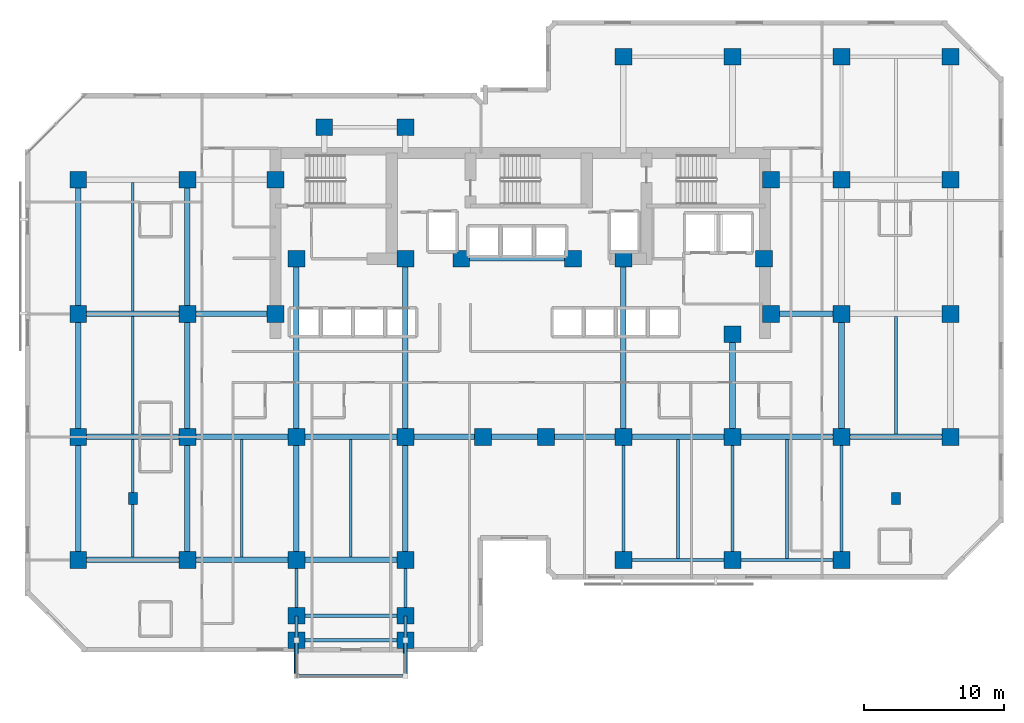
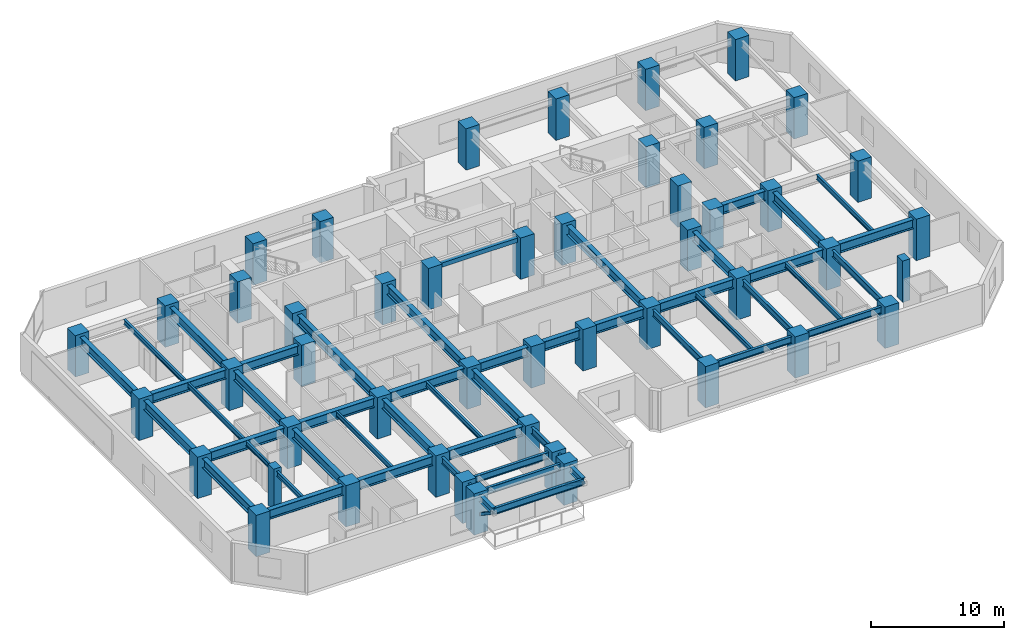
# One storey, part 1 of 12: 51 beams, 48 columns, 2 members.
"""IFC4 building model written with IfcOpenShell, lengths in metres."""

from ifc_helpers import new_model, si_unit, direction, frame, origin, origin_2d, place, context, subcontext, project, spatial, rectangle, hollow_rectangle, i_section, extrude, material, material_profile, profile_set, type_object, element, save


model = new_model("IFC4")

# Units and contexts
model_context = context("Model", 3, precision=1e-05, world=origin(), true_north=direction((0.0, 1.0)))
body_context = subcontext(model_context, "Body", "Model", "MODEL_VIEW")
ifc_project = project(units=[si_unit("LENGTHUNIT", "METRE"), si_unit("AREAUNIT", "SQUARE_METRE"), si_unit("VOLUMEUNIT", "CUBIC_METRE"), si_unit("PLANEANGLEUNIT", "RADIAN"), si_unit("MASSUNIT", "GRAM", prefix="KILO")], contexts=[model_context])

# Site, building, storey
site_placement = place(None, origin())
site = spatial("IfcSite", under=ifc_project, at=site_placement, CompositionType="ELEMENT")
building_placement = place(site_placement, origin())
building = spatial("IfcBuilding", under=site, at=building_placement, Name="Kestravale Grand Hotel", CompositionType="ELEMENT")
storey_placement = place(building_placement, frame((0.0, 0.0, 95.60009765625)))
storey = spatial("IfcBuildingStorey", under=building, at=storey_placement, Name="L23", CompositionType="ELEMENT", Elevation=95.60009765625)

# Columns
ifc_material_1 = material(Name="Precast concrete f'c 45 MPa", Category="concrete")
ifc_material_profile_1 = material_profile(ifc_material_1, rectangle(XDim=0.64990234375, YDim=0.85009765625, at=origin_2d()))
ifc_profile_set_1 = profile_set([ifc_material_profile_1], Name="Precast concrete f'c 45 MPa")
column_type_1 = type_object("IfcColumnType", Name="C-Z1-PIL850", PredefinedType="PILASTER", material=ifc_profile_set_1)
for number, where, z_axis, x_axis, name in (
    (1, (11.699951171875, 15.60009765625, 0.0), (0.0, 0.0, 1.0), (1.0, 0.0, 0.0), "L23 Art Deco fluted pilaster P1"),
    (2, (66.300048828125, 15.60009765625, 0.0), (0.0, 0.0, 1.0), (1.0, 0.0, 0.0), "L23 Art Deco fluted pilaster P2"),
):
    element("IfcColumn", number, at=place(storey_placement, frame(where, z_axis=z_axis, x_axis=x_axis)), inside=storey, type_object=column_type_1, Name=name, PredefinedType="PILASTER", context=body_context, shape_type="SweptSolid", body=[
        extrude(rectangle(XDim=0.64990234375, YDim=0.85009765625, at=origin_2d()), origin(), (0.0, 0.0, 1.0), 3.7998046875),
    ])
ifc_material_2 = material(Name="Concrete f'c 60 MPa", Category="concrete")
ifc_material_profile_2 = material_profile(ifc_material_2, rectangle(XDim=1.199951171875, YDim=1.199951171875, at=origin_2d()))
ifc_profile_set_2 = profile_set([ifc_material_profile_2], Name="Concrete f'c 60 MPa")
column_type_2 = type_object("IfcColumnType", Name="C-Z2-1200", PredefinedType="COLUMN", material=ifc_profile_set_2)
for number, where, z_axis, x_axis, name in (
    (3, (7.800048828125, 11.199951171875, 0.0), (0.0, 0.0, 1.0), (1.0, 0.0, 0.0), "L23 column 2-C"),
    (4, (7.800048828125, 20.0, 0.0), (0.0, 0.0, 1.0), (1.0, 0.0, 0.0), "L23 column 2-D"),
    (5, (7.800048828125, 28.800048828125, 0.0), (0.0, 0.0, 1.0), (1.0, 0.0, 0.0), "L23 column 2-E"),
    (6, (7.800048828125, 38.39990234375, 0.0), (0.0, 0.0, 1.0), (1.0, 0.0, 0.0), "L23 column 2-F"),
    (7, (15.60009765625, 11.199951171875, 0.0), (0.0, 0.0, 1.0), (1.0, 0.0, 0.0), "L23 column 3-C"),
    (8, (15.60009765625, 20.0, 0.0), (0.0, 0.0, 1.0), (1.0, 0.0, 0.0), "L23 column 3-D"),
    (9, (15.60009765625, 28.800048828125, 0.0), (0.0, 0.0, 1.0), (1.0, 0.0, 0.0), "L23 column 3-E"),
    (10, (15.60009765625, 38.39990234375, 0.0), (0.0, 0.0, 1.0), (1.0, 0.0, 0.0), "L23 column 3-F"),
    (11, (23.39990234375, 11.199951171875, 0.0), (0.0, 0.0, 1.0), (1.0, 0.0, 0.0), "L23 column 4-C"),
    (12, (23.39990234375, 20.0, 0.0), (0.0, 0.0, 1.0), (1.0, 0.0, 0.0), "L23 column 4-D"),
    (13, (31.199951171875, 11.199951171875, 0.0), (0.0, 0.0, 1.0), (1.0, 0.0, 0.0), "L23 column 5-C"),
    (14, (31.199951171875, 20.0, 0.0), (0.0, 0.0, 1.0), (1.0, 0.0, 0.0), "L23 column 5-D"),
    (15, (36.75, 20.0, 0.0), (0.0, 0.0, 1.0), (1.0, 0.0, 0.0), "L23 column 6-D"),
    (16, (41.25, 20.0, 0.0), (0.0, 0.0, 1.0), (1.0, 0.0, 0.0), "L23 column 7-D"),
    (17, (46.800048828125, 11.199951171875, 0.0), (0.0, 0.0, 1.0), (1.0, 0.0, 0.0), "L23 column 8-C"),
    (18, (46.800048828125, 20.0, 0.0), (0.0, 0.0, 1.0), (1.0, 0.0, 0.0), "L23 column 8-D"),
    (19, (46.800048828125, 47.199951171875, 0.0), (0.0, 0.0, 1.0), (1.0, 0.0, 0.0), "L23 column 8-G"),
    (20, (54.60009765625, 11.199951171875, 0.0), (0.0, 0.0, 1.0), (1.0, 0.0, 0.0), "L23 column 9-C"),
    (21, (54.60009765625, 20.0, 0.0), (0.0, 0.0, 1.0), (1.0, 0.0, 0.0), "L23 column 9-D"),
    (22, (54.60009765625, 47.199951171875, 0.0), (0.0, 0.0, 1.0), (1.0, 0.0, 0.0), "L23 column 9-G"),
    (23, (62.39990234375, 11.199951171875, 0.0), (0.0, 0.0, 1.0), (1.0, 0.0, 0.0), "L23 column 10-C"),
    (24, (62.39990234375, 20.0, 0.0), (0.0, 0.0, 1.0), (1.0, 0.0, 0.0), "L23 column 10-D"),
    (25, (62.39990234375, 28.800048828125, 0.0), (0.0, 0.0, 1.0), (1.0, 0.0, 0.0), "L23 column 10-E"),
    (26, (62.39990234375, 38.39990234375, 0.0), (0.0, 0.0, 1.0), (1.0, 0.0, 0.0), "L23 column 10-F"),
    (27, (62.39990234375, 47.199951171875, 0.0), (0.0, 0.0, 1.0), (1.0, 0.0, 0.0), "L23 column 10-G"),
    (28, (70.199951171875, 20.0, 0.0), (0.0, 0.0, 1.0), (1.0, 0.0, 0.0), "L23 column 11-D"),
    (29, (70.199951171875, 28.800048828125, 0.0), (0.0, 0.0, 1.0), (1.0, 0.0, 0.0), "L23 column 11-E"),
    (30, (70.199951171875, 38.39990234375, 0.0), (0.0, 0.0, 1.0), (1.0, 0.0, 0.0), "L23 column 11-F"),
    (31, (70.199951171875, 47.199951171875, 0.0), (0.0, 0.0, 1.0), (1.0, 0.0, 0.0), "L23 column 11-G"),
    (32, (21.89990234375, 28.800048828125, 0.0), (0.0, 0.0, 1.0), (1.0, 0.0, 0.0), "L23 column CW-E"),
    (33, (21.89990234375, 38.39990234375, 0.0), (0.0, 0.0, 1.0), (1.0, 0.0, 0.0), "L23 column CW-F"),
    (34, (57.35009765625, 28.800048828125, 0.0), (0.0, 0.0, 1.0), (1.0, 0.0, 0.0), "L23 column CE-E"),
    (35, (57.35009765625, 38.39990234375, 0.0), (0.0, 0.0, 1.0), (1.0, 0.0, 0.0), "L23 column CE-F"),
    (36, (23.39990234375, 32.75, 0.0), (0.0, 0.0, 1.0), (1.0, 0.0, 0.0), "L23 column 4-CS"),
    (37, (31.199951171875, 32.75, 0.0), (0.0, 0.0, 1.0), (1.0, 0.0, 0.0), "L23 column 5-CS"),
    (38, (35.199951171875, 32.75, 0.0), (0.0, 0.0, 1.0), (1.0, 0.0, 0.0), "L23 column 6C-CS"),
    (39, (43.199951171875, 32.75, 0.0), (0.0, 0.0, 1.0), (1.0, 0.0, 0.0), "L23 column 7C-CS"),
    (40, (46.800048828125, 32.75, 0.0), (0.0, 0.0, 1.0), (1.0, 0.0, 0.0), "L23 column 8-CS"),
    (41, (54.60009765625, 27.35009765625, 0.0), (0.0, 0.0, 1.0), (1.0, 0.0, 0.0), "L23 column 9-CS"),
    (42, (56.85009765625, 32.75, 0.0), (0.0, 0.0, 1.0), (1.0, 0.0, 0.0), "L23 column 9C-CS"),
    (43, (23.39990234375, 7.199951171875, 0.0), (0.0, 0.0, 1.0), (1.0, 0.0, 0.0), "L23 column 4-BS"),
    (44, (31.199951171875, 7.199951171875, 0.0), (0.0, 0.0, 1.0), (1.0, 0.0, 0.0), "L23 column 5-BS"),
    (45, (25.39990234375, 42.14990234375, 0.0), (0.0, 0.0, 1.0), (1.0, 0.0, 0.0), "L23 column 4-FN"),
    (46, (31.199951171875, 42.14990234375, 0.0), (0.0, 0.0, 1.0), (1.0, 0.0, 0.0), "L23 column 5-FN"),
    (47, (23.39990234375, 5.449951171875, 0.0), (0.0, 0.0, 1.0), (1.0, 0.0, 0.0), "L23 column 4-B1S"),
    (48, (31.199951171875, 5.449951171875, 0.0), (0.0, 0.0, 1.0), (1.0, 0.0, 0.0), "L23 column 5-B1S"),
):
    element("IfcColumn", number, at=place(storey_placement, frame(where, z_axis=z_axis, x_axis=x_axis)), inside=storey, type_object=column_type_2, Name=name, PredefinedType="COLUMN", context=body_context, shape_type="SweptSolid", body=[
        extrude(rectangle(XDim=1.199951171875, YDim=1.199951171875, at=origin_2d()), origin(), (0.0, 0.0, 1.0), 3.7998046875),
    ])

# Beams
ifc_material_3 = material(Name="Steel ASTM A992 Grade 50", Category="steel")
ifc_material_profile_3 = material_profile(ifc_material_3, i_section(OverallWidth=0.19091796875, OverallDepth=0.45703125, WebThickness=0.009033203125, FlangeThickness=0.014404296875, FilletRadius=0.015380859375, at=origin_2d()))
ifc_profile_set_3 = profile_set([ifc_material_profile_3], Name="Steel ASTM A992 Grade 50")
beam_type_1 = type_object("IfcBeamType", Name="B-FLR-JST18", PredefinedType="JOIST", material=ifc_profile_set_3)
for number, where, z_axis, x_axis, name in (
    (49, (11.699951171875, 11.400390625, 3.3115234375), (0.0, 1.0, 0.0), (-1.0, 0.0, 0.0), "L23 floor joist 2-3/C-D #1"),
    (50, (11.699951171875, 20.200439453125, 3.3115234375), (0.0, 1.0, 0.0), (-1.0, 0.0, 0.0), "L23 floor joist 2-3/D-E #1"),
):
    element("IfcBeam", number, at=place(storey_placement, frame(where, z_axis=z_axis, x_axis=x_axis)), inside=storey, type_object=beam_type_1, Name=name, PredefinedType="JOIST", context=body_context, shape_type="SweptSolid", body=[
        extrude(i_section(OverallWidth=0.19091796875, OverallDepth=0.45703125, WebThickness=0.009033203125, FlangeThickness=0.014404296875, FilletRadius=0.015380859375, at=origin_2d()), origin(), (0.0, 0.0, 1.0), 8.399169921875),
    ])
beam_1_placement = place(storey_placement, frame((11.699951171875, 29.00048828125, 3.3115234375), z_axis=(0.0, 1.0, 0.0), x_axis=(-1.0, 0.0, 0.0)))
element("IfcBeam", 51, at=beam_1_placement, inside=storey, type_object=beam_type_1, Name="L23 floor joist 2-3/E-F #1", PredefinedType="JOIST", context=body_context, shape_type="SweptSolid", body=[
    extrude(i_section(OverallWidth=0.19091796875, OverallDepth=0.45703125, WebThickness=0.009033203125, FlangeThickness=0.014404296875, FilletRadius=0.015380859375, at=origin_2d()), origin(), (0.0, 0.0, 1.0), 9.198974609375),
])
for number, where, z_axis, x_axis, name in (
    (52, (19.5, 11.400390625, 3.3115234375), (0.0, 1.0, 0.0), (-1.0, 0.0, 0.0), "L23 floor joist 3-4/C-D #1"),
    (53, (27.300048828125, 11.400390625, 3.3115234375), (0.0, 1.0, 0.0), (-1.0, 0.0, 0.0), "L23 floor joist 4-5/C-D #1"),
):
    element("IfcBeam", number, at=place(storey_placement, frame(where, z_axis=z_axis, x_axis=x_axis)), inside=storey, type_object=beam_type_1, Name=name, PredefinedType="JOIST", context=body_context, shape_type="SweptSolid", body=[
        extrude(i_section(OverallWidth=0.19091796875, OverallDepth=0.45703125, WebThickness=0.009033203125, FlangeThickness=0.014404296875, FilletRadius=0.015380859375, at=origin_2d()), origin(), (0.0, 0.0, 1.0), 8.399169921875),
    ])
for number, where, z_axis, x_axis, name in (
    (54, (50.699951171875, 11.314453125, 3.3115234375), (0.0, 1.0, 0.0), (-1.0, 0.0, 0.0), "L23 floor joist 8-9/C-D #1"),
    (55, (58.5, 11.314453125, 3.3115234375), (0.0, 1.0, 0.0), (-1.0, 0.0, 0.0), "L23 floor joist 9-10/C-D #1"),
):
    element("IfcBeam", number, at=place(storey_placement, frame(where, z_axis=z_axis, x_axis=x_axis)), inside=storey, type_object=beam_type_1, Name=name, PredefinedType="JOIST", context=body_context, shape_type="SweptSolid", body=[
        extrude(i_section(OverallWidth=0.19091796875, OverallDepth=0.45703125, WebThickness=0.009033203125, FlangeThickness=0.014404296875, FilletRadius=0.015380859375, at=origin_2d()), origin(), (0.0, 0.0, 1.0), 8.485107421875),
    ])
beam_2_placement = place(storey_placement, frame((66.300048828125, 20.200439453125, 3.3115234375), z_axis=(0.0, 1.0, 0.0), x_axis=(-1.0, 0.0, 0.0)))
element("IfcBeam", 56, at=beam_2_placement, inside=storey, type_object=beam_type_1, Name="L23 floor joist 10-11/D-E #1", PredefinedType="JOIST", context=body_context, shape_type="SweptSolid", body=[
    extrude(i_section(OverallWidth=0.19091796875, OverallDepth=0.45703125, WebThickness=0.009033203125, FlangeThickness=0.014404296875, FilletRadius=0.015380859375, at=origin_2d()), origin(), (0.0, 0.0, 1.0), 8.399169921875),
])
ifc_material_4 = material(Name="Concrete f'c 45 MPa", Category="concrete")
ifc_material_profile_4 = material_profile(ifc_material_4, rectangle(XDim=0.300048828125, YDim=0.39990234375, at=origin_2d()))
ifc_profile_set_4 = profile_set([ifc_material_profile_4], Name="Concrete f'c 45 MPa")
beam_type_2 = type_object("IfcBeamType", Name="B-FLR-LNT400", PredefinedType="LINTEL", material=ifc_profile_set_4)
beam_3_placement = place(storey_placement, frame((35.199951171875, 32.75, 3.33984375), z_axis=(1.0, 0.0, 0.0), x_axis=(0.0, 1.0, 0.0)))
element("IfcBeam", 57, at=beam_3_placement, inside=storey, type_object=beam_type_2, Name="L23 core portal header lintel", PredefinedType="LINTEL", context=body_context, shape_type="SweptSolid", body=[
    extrude(rectangle(XDim=0.300048828125, YDim=0.39990234375, at=origin_2d()), origin(), (0.0, 0.0, 1.0), 8.0),
])
ifc_material_5 = material(Name="Steel ASTM A992 Grade 50", Category="steel")
ifc_material_profile_5 = material_profile(ifc_material_5, i_section(OverallWidth=0.324951171875, OverallDepth=0.612060546875, WebThickness=0.0126953125, FlangeThickness=0.01904296875, FilletRadius=0.018798828125, at=origin_2d()))
ifc_profile_set_5 = profile_set([ifc_material_profile_5], Name="Steel ASTM A992 Grade 50")
beam_type_3 = type_object("IfcBeamType", Name="B-FLR-W24A", PredefinedType="SPANDREL", material=ifc_profile_set_5)
for number, where, z_axis, x_axis, name in (
    (58, (23.39990234375, 5.449951171875, 3.223876953125), (0.0, -1.0, 0.0), (1.0, 0.0, 0.0), "L24 terrace cantilever beam 1"),
    (59, (31.199951171875, 5.449951171875, 3.223876953125), (0.0, -1.0, 0.0), (1.0, 0.0, 0.0), "L24 terrace cantilever beam 2"),
):
    element("IfcBeam", number, at=place(storey_placement, frame(where, z_axis=z_axis, x_axis=x_axis)), inside=storey, type_object=beam_type_3, Name=name, PredefinedType="SPANDREL", context=body_context, shape_type="SweptSolid", body=[
        extrude(i_section(OverallWidth=0.324951171875, OverallDepth=0.612060546875, WebThickness=0.0126953125, FlangeThickness=0.01904296875, FilletRadius=0.018798828125, at=origin_2d()), origin(), (0.0, 0.0, 1.0), 2.550048828125),
    ])
ifc_material_6 = material(Name="Steel ASTM A992 Grade 50", Category="steel")
ifc_material_profile_6 = material_profile(ifc_material_6, i_section(OverallWidth=0.22900390625, OverallDepth=0.612060546875, WebThickness=0.011962890625, FlangeThickness=0.01953125, FilletRadius=0.019287109375, at=origin_2d()))
ifc_profile_set_6 = profile_set([ifc_material_profile_6], Name="Steel ASTM A992 Grade 50")
beam_type_4 = type_object("IfcBeamType", Name="B-FLR-W24B", PredefinedType="SPANDREL", material=ifc_profile_set_6)
beam_4_placement = place(storey_placement, frame((46.800048828125, 11.199951171875, 3.23388671875), z_axis=(1.0, 0.0, 0.0), x_axis=(0.0, 1.0, 0.0)))
element("IfcBeam", 60, at=beam_4_placement, inside=storey, type_object=beam_type_4, Name="L23 spandrel C:8-9", PredefinedType="SPANDREL", context=body_context, shape_type="SweptSolid", body=[
    extrude(i_section(OverallWidth=0.22900390625, OverallDepth=0.612060546875, WebThickness=0.011962890625, FlangeThickness=0.01953125, FilletRadius=0.019287109375, at=origin_2d()), origin(), (0.0, 0.0, 1.0), 7.800048828125),
])
beam_5_placement = place(storey_placement, frame((54.60009765625, 11.199951171875, 3.23388671875), z_axis=(1.0, 0.0, 0.0), x_axis=(0.0, 1.0, 0.0)))
element("IfcBeam", 61, at=beam_5_placement, inside=storey, type_object=beam_type_4, Name="L23 spandrel C:9-10", PredefinedType="SPANDREL", context=body_context, shape_type="SweptSolid", body=[
    extrude(i_section(OverallWidth=0.22900390625, OverallDepth=0.612060546875, WebThickness=0.011962890625, FlangeThickness=0.01953125, FilletRadius=0.019287109375, at=origin_2d()), origin(), (0.0, 0.0, 1.0), 7.7998046875),
])
for number, where, z_axis, x_axis, name in (
    (62, (23.39990234375, 5.449951171875, 3.23388671875), (1.0, 0.0, 0.0), (0.0, 1.0, 0.0), "L23 perimeter tie spandrel B1S:4-5"),
    (63, (23.39990234375, 7.199951171875, 3.23388671875), (1.0, 0.0, 0.0), (0.0, 1.0, 0.0), "L23 perimeter tie spandrel BS:4-5"),
):
    element("IfcBeam", number, at=place(storey_placement, frame(where, z_axis=z_axis, x_axis=x_axis)), inside=storey, type_object=beam_type_4, Name=name, PredefinedType="SPANDREL", context=body_context, shape_type="SweptSolid", body=[
        extrude(i_section(OverallWidth=0.22900390625, OverallDepth=0.612060546875, WebThickness=0.011962890625, FlangeThickness=0.01953125, FilletRadius=0.019287109375, at=origin_2d()), origin(), (0.0, 0.0, 1.0), 7.800048828125),
    ])
beam_6_placement = place(storey_placement, frame((23.39990234375, 5.449951171875, 3.23388671875), z_axis=(0.0, 1.0, 0.0), x_axis=(-1.0, 0.0, 0.0)))
element("IfcBeam", 64, at=beam_6_placement, inside=storey, type_object=beam_type_4, Name="L23 spandrel 4:B1S-BS", PredefinedType="SPANDREL", context=body_context, shape_type="SweptSolid", body=[
    extrude(i_section(OverallWidth=0.22900390625, OverallDepth=0.612060546875, WebThickness=0.011962890625, FlangeThickness=0.01953125, FilletRadius=0.019287109375, at=origin_2d()), origin(), (0.0, 0.0, 1.0), 1.75),
])
beam_7_placement = place(storey_placement, frame((23.39990234375, 7.199951171875, 3.23388671875), z_axis=(0.0, 1.0, 0.0), x_axis=(-1.0, 0.0, 0.0)))
element("IfcBeam", 65, at=beam_7_placement, inside=storey, type_object=beam_type_4, Name="L23 spandrel 4:BS-C", PredefinedType="SPANDREL", context=body_context, shape_type="SweptSolid", body=[
    extrude(i_section(OverallWidth=0.22900390625, OverallDepth=0.612060546875, WebThickness=0.011962890625, FlangeThickness=0.01953125, FilletRadius=0.019287109375, at=origin_2d()), origin(), (0.0, 0.0, 1.0), 4.0),
])
beam_8_placement = place(storey_placement, frame((31.199951171875, 5.449951171875, 3.23388671875), z_axis=(0.0, 1.0, 0.0), x_axis=(-1.0, 0.0, 0.0)))
element("IfcBeam", 66, at=beam_8_placement, inside=storey, type_object=beam_type_4, Name="L23 spandrel 5:B1S-BS", PredefinedType="SPANDREL", context=body_context, shape_type="SweptSolid", body=[
    extrude(i_section(OverallWidth=0.22900390625, OverallDepth=0.612060546875, WebThickness=0.011962890625, FlangeThickness=0.01953125, FilletRadius=0.019287109375, at=origin_2d()), origin(), (0.0, 0.0, 1.0), 1.75),
])
beam_9_placement = place(storey_placement, frame((31.199951171875, 7.199951171875, 3.23388671875), z_axis=(0.0, 1.0, 0.0), x_axis=(-1.0, 0.0, 0.0)))
element("IfcBeam", 67, at=beam_9_placement, inside=storey, type_object=beam_type_4, Name="L23 spandrel 5:BS-C", PredefinedType="SPANDREL", context=body_context, shape_type="SweptSolid", body=[
    extrude(i_section(OverallWidth=0.22900390625, OverallDepth=0.612060546875, WebThickness=0.011962890625, FlangeThickness=0.01953125, FilletRadius=0.019287109375, at=origin_2d()), origin(), (0.0, 0.0, 1.0), 4.0),
])
for number, where, z_axis, x_axis, name in (
    (68, (46.800048828125, 11.199951171875, 3.23388671875), (0.0, 1.0, 0.0), (-1.0, 0.0, 0.0), "L23 spandrel 8:C-D"),
    (69, (54.60009765625, 11.199951171875, 3.23388671875), (0.0, 1.0, 0.0), (-1.0, 0.0, 0.0), "L23 spandrel 9:C-D"),
    (70, (62.39990234375, 11.199951171875, 3.23388671875), (0.0, 1.0, 0.0), (-1.0, 0.0, 0.0), "L23 spandrel 10:C-D"),
):
    element("IfcBeam", number, at=place(storey_placement, frame(where, z_axis=z_axis, x_axis=x_axis)), inside=storey, type_object=beam_type_4, Name=name, PredefinedType="SPANDREL", context=body_context, shape_type="SweptSolid", body=[
        extrude(i_section(OverallWidth=0.22900390625, OverallDepth=0.612060546875, WebThickness=0.011962890625, FlangeThickness=0.01953125, FilletRadius=0.019287109375, at=origin_2d()), origin(), (0.0, 0.0, 1.0), 8.800048828125),
    ])
beam_10_placement = place(storey_placement, frame((23.39990234375, 2.89990234375, 3.223876953125), z_axis=(1.0, 0.0, 0.0), x_axis=(0.0, 1.0, 0.0)))
element("IfcBeam", 71, at=beam_10_placement, inside=storey, type_object=beam_type_4, Name="L24 terrace edge spandrel", PredefinedType="SPANDREL", context=body_context, shape_type="SweptSolid", body=[
    extrude(i_section(OverallWidth=0.22900390625, OverallDepth=0.612060546875, WebThickness=0.011962890625, FlangeThickness=0.01953125, FilletRadius=0.019287109375, at=origin_2d()), origin(), (0.0, 0.0, 1.0), 7.800048828125),
])
ifc_material_7 = material(Name="Steel ASTM A992 Grade 50", Category="steel")
ifc_material_profile_7 = material_profile(ifc_material_7, i_section(OverallWidth=0.40087890625, OverallDepth=0.861083984375, WebThickness=0.019775390625, FlangeThickness=0.032470703125, FilletRadius=0.0234375, at=origin_2d()))
ifc_profile_set_7 = profile_set([ifc_material_profile_7], Name="Steel ASTM A992 Grade 50")
beam_type_5 = type_object("IfcBeamType", Name="B-GRD-W33", PredefinedType="BEAM", material=ifc_profile_set_7)
beam_11_placement = place(storey_placement, frame((7.800048828125, 11.199951171875, 3.109375), z_axis=(1.0, 0.0, 0.0), x_axis=(0.0, 1.0, 0.0)))
element("IfcBeam", 72, at=beam_11_placement, inside=storey, type_object=beam_type_5, Name="L23 girder C:2-3", PredefinedType="BEAM", context=body_context, shape_type="SweptSolid", body=[
    extrude(i_section(OverallWidth=0.40087890625, OverallDepth=0.861083984375, WebThickness=0.019775390625, FlangeThickness=0.032470703125, FilletRadius=0.0234375, at=origin_2d()), origin(), (0.0, 0.0, 1.0), 7.800048828125),
])
beam_12_placement = place(storey_placement, frame((15.60009765625, 11.199951171875, 3.109375), z_axis=(1.0, 0.0, 0.0), x_axis=(0.0, 1.0, 0.0)))
element("IfcBeam", 73, at=beam_12_placement, inside=storey, type_object=beam_type_5, Name="L23 girder C:3-4", PredefinedType="BEAM", context=body_context, shape_type="SweptSolid", body=[
    extrude(i_section(OverallWidth=0.40087890625, OverallDepth=0.861083984375, WebThickness=0.019775390625, FlangeThickness=0.032470703125, FilletRadius=0.0234375, at=origin_2d()), origin(), (0.0, 0.0, 1.0), 7.7998046875),
])
for number, where, z_axis, x_axis, name in (
    (74, (23.39990234375, 11.199951171875, 3.109375), (1.0, 0.0, 0.0), (0.0, 1.0, 0.0), "L23 girder C:4-5"),
    (75, (7.800048828125, 20.0, 3.109375), (1.0, 0.0, 0.0), (0.0, 1.0, 0.0), "L23 girder D:2-3"),
):
    element("IfcBeam", number, at=place(storey_placement, frame(where, z_axis=z_axis, x_axis=x_axis)), inside=storey, type_object=beam_type_5, Name=name, PredefinedType="BEAM", context=body_context, shape_type="SweptSolid", body=[
        extrude(i_section(OverallWidth=0.40087890625, OverallDepth=0.861083984375, WebThickness=0.019775390625, FlangeThickness=0.032470703125, FilletRadius=0.0234375, at=origin_2d()), origin(), (0.0, 0.0, 1.0), 7.800048828125),
    ])
beam_13_placement = place(storey_placement, frame((15.60009765625, 20.0, 3.109375), z_axis=(1.0, 0.0, 0.0), x_axis=(0.0, 1.0, 0.0)))
element("IfcBeam", 76, at=beam_13_placement, inside=storey, type_object=beam_type_5, Name="L23 girder D:3-4", PredefinedType="BEAM", context=body_context, shape_type="SweptSolid", body=[
    extrude(i_section(OverallWidth=0.40087890625, OverallDepth=0.861083984375, WebThickness=0.019775390625, FlangeThickness=0.032470703125, FilletRadius=0.0234375, at=origin_2d()), origin(), (0.0, 0.0, 1.0), 7.7998046875),
])
beam_14_placement = place(storey_placement, frame((23.39990234375, 20.0, 3.109375), z_axis=(1.0, 0.0, 0.0), x_axis=(0.0, 1.0, 0.0)))
element("IfcBeam", 77, at=beam_14_placement, inside=storey, type_object=beam_type_5, Name="L23 girder D:4-5", PredefinedType="BEAM", context=body_context, shape_type="SweptSolid", body=[
    extrude(i_section(OverallWidth=0.40087890625, OverallDepth=0.861083984375, WebThickness=0.019775390625, FlangeThickness=0.032470703125, FilletRadius=0.0234375, at=origin_2d()), origin(), (0.0, 0.0, 1.0), 7.800048828125),
])
beam_15_placement = place(storey_placement, frame((31.199951171875, 20.0, 3.109375), z_axis=(1.0, 0.0, 0.0), x_axis=(0.0, 1.0, 0.0)))
element("IfcBeam", 78, at=beam_15_placement, inside=storey, type_object=beam_type_5, Name="L23 girder D:5-6", PredefinedType="BEAM", context=body_context, shape_type="SweptSolid", body=[
    extrude(i_section(OverallWidth=0.40087890625, OverallDepth=0.861083984375, WebThickness=0.019775390625, FlangeThickness=0.032470703125, FilletRadius=0.0234375, at=origin_2d()), origin(), (0.0, 0.0, 1.0), 5.550048828125),
])
beam_16_placement = place(storey_placement, frame((36.75, 20.0, 3.109375), z_axis=(1.0, 0.0, 0.0), x_axis=(0.0, 1.0, 0.0)))
element("IfcBeam", 79, at=beam_16_placement, inside=storey, type_object=beam_type_5, Name="L23 girder D:6-7", PredefinedType="BEAM", context=body_context, shape_type="SweptSolid", body=[
    extrude(i_section(OverallWidth=0.40087890625, OverallDepth=0.861083984375, WebThickness=0.019775390625, FlangeThickness=0.032470703125, FilletRadius=0.0234375, at=origin_2d()), origin(), (0.0, 0.0, 1.0), 4.5),
])
beam_17_placement = place(storey_placement, frame((41.25, 20.0, 3.109375), z_axis=(1.0, 0.0, 0.0), x_axis=(0.0, 1.0, 0.0)))
element("IfcBeam", 80, at=beam_17_placement, inside=storey, type_object=beam_type_5, Name="L23 girder D:7-8", PredefinedType="BEAM", context=body_context, shape_type="SweptSolid", body=[
    extrude(i_section(OverallWidth=0.40087890625, OverallDepth=0.861083984375, WebThickness=0.019775390625, FlangeThickness=0.032470703125, FilletRadius=0.0234375, at=origin_2d()), origin(), (0.0, 0.0, 1.0), 5.550048828125),
])
beam_18_placement = place(storey_placement, frame((46.800048828125, 20.0, 3.109375), z_axis=(1.0, 0.0, 0.0), x_axis=(0.0, 1.0, 0.0)))
element("IfcBeam", 81, at=beam_18_placement, inside=storey, type_object=beam_type_5, Name="L23 girder D:8-9", PredefinedType="BEAM", context=body_context, shape_type="SweptSolid", body=[
    extrude(i_section(OverallWidth=0.40087890625, OverallDepth=0.861083984375, WebThickness=0.019775390625, FlangeThickness=0.032470703125, FilletRadius=0.0234375, at=origin_2d()), origin(), (0.0, 0.0, 1.0), 7.800048828125),
])
beam_19_placement = place(storey_placement, frame((54.60009765625, 20.0, 3.109375), z_axis=(1.0, 0.0, 0.0), x_axis=(0.0, 1.0, 0.0)))
element("IfcBeam", 82, at=beam_19_placement, inside=storey, type_object=beam_type_5, Name="L23 girder D:9-10", PredefinedType="BEAM", context=body_context, shape_type="SweptSolid", body=[
    extrude(i_section(OverallWidth=0.40087890625, OverallDepth=0.861083984375, WebThickness=0.019775390625, FlangeThickness=0.032470703125, FilletRadius=0.0234375, at=origin_2d()), origin(), (0.0, 0.0, 1.0), 7.7998046875),
])
for number, where, z_axis, x_axis, name in (
    (83, (62.39990234375, 20.0, 3.109375), (1.0, 0.0, 0.0), (0.0, 1.0, 0.0), "L23 girder D:10-11"),
    (84, (7.800048828125, 28.800048828125, 3.109375), (1.0, 0.0, 0.0), (0.0, 1.0, 0.0), "L23 girder E:2-3"),
):
    element("IfcBeam", number, at=place(storey_placement, frame(where, z_axis=z_axis, x_axis=x_axis)), inside=storey, type_object=beam_type_5, Name=name, PredefinedType="BEAM", context=body_context, shape_type="SweptSolid", body=[
        extrude(i_section(OverallWidth=0.40087890625, OverallDepth=0.861083984375, WebThickness=0.019775390625, FlangeThickness=0.032470703125, FilletRadius=0.0234375, at=origin_2d()), origin(), (0.0, 0.0, 1.0), 7.800048828125),
    ])
beam_20_placement = place(storey_placement, frame((15.60009765625, 28.800048828125, 3.109375), z_axis=(1.0, 0.0, 0.0), x_axis=(0.0, 1.0, 0.0)))
element("IfcBeam", 85, at=beam_20_placement, inside=storey, type_object=beam_type_5, Name="L23 girder E:3-CW", PredefinedType="BEAM", context=body_context, shape_type="SweptSolid", body=[
    extrude(i_section(OverallWidth=0.40087890625, OverallDepth=0.861083984375, WebThickness=0.019775390625, FlangeThickness=0.032470703125, FilletRadius=0.0234375, at=origin_2d()), origin(), (0.0, 0.0, 1.0), 6.2998046875),
])
beam_21_placement = place(storey_placement, frame((57.35009765625, 28.800048828125, 3.109375), z_axis=(1.0, 0.0, 0.0), x_axis=(0.0, 1.0, 0.0)))
element("IfcBeam", 86, at=beam_21_placement, inside=storey, type_object=beam_type_5, Name="L23 girder E:CE-10", PredefinedType="BEAM", context=body_context, shape_type="SweptSolid", body=[
    extrude(i_section(OverallWidth=0.40087890625, OverallDepth=0.861083984375, WebThickness=0.019775390625, FlangeThickness=0.032470703125, FilletRadius=0.0234375, at=origin_2d()), origin(), (0.0, 0.0, 1.0), 5.0498046875),
])
for number, where, z_axis, x_axis, name in (
    (87, (7.800048828125, 11.199951171875, 3.109375), (0.0, 1.0, 0.0), (-1.0, 0.0, 0.0), "L23 girder 2:C-D"),
    (88, (7.800048828125, 20.0, 3.109375), (0.0, 1.0, 0.0), (-1.0, 0.0, 0.0), "L23 girder 2:D-E"),
):
    element("IfcBeam", number, at=place(storey_placement, frame(where, z_axis=z_axis, x_axis=x_axis)), inside=storey, type_object=beam_type_5, Name=name, PredefinedType="BEAM", context=body_context, shape_type="SweptSolid", body=[
        extrude(i_section(OverallWidth=0.40087890625, OverallDepth=0.861083984375, WebThickness=0.019775390625, FlangeThickness=0.032470703125, FilletRadius=0.0234375, at=origin_2d()), origin(), (0.0, 0.0, 1.0), 8.800048828125),
    ])
beam_22_placement = place(storey_placement, frame((7.800048828125, 28.800048828125, 3.109375), z_axis=(0.0, 1.0, 0.0), x_axis=(-1.0, 0.0, 0.0)))
element("IfcBeam", 89, at=beam_22_placement, inside=storey, type_object=beam_type_5, Name="L23 girder 2:E-F", PredefinedType="BEAM", context=body_context, shape_type="SweptSolid", body=[
    extrude(i_section(OverallWidth=0.40087890625, OverallDepth=0.861083984375, WebThickness=0.019775390625, FlangeThickness=0.032470703125, FilletRadius=0.0234375, at=origin_2d()), origin(), (0.0, 0.0, 1.0), 9.599853515625),
])
for number, where, z_axis, x_axis, name in (
    (90, (15.60009765625, 11.199951171875, 3.109375), (0.0, 1.0, 0.0), (-1.0, 0.0, 0.0), "L23 girder 3:C-D"),
    (91, (15.60009765625, 20.0, 3.109375), (0.0, 1.0, 0.0), (-1.0, 0.0, 0.0), "L23 girder 3:D-E"),
):
    element("IfcBeam", number, at=place(storey_placement, frame(where, z_axis=z_axis, x_axis=x_axis)), inside=storey, type_object=beam_type_5, Name=name, PredefinedType="BEAM", context=body_context, shape_type="SweptSolid", body=[
        extrude(i_section(OverallWidth=0.40087890625, OverallDepth=0.861083984375, WebThickness=0.019775390625, FlangeThickness=0.032470703125, FilletRadius=0.0234375, at=origin_2d()), origin(), (0.0, 0.0, 1.0), 8.800048828125),
    ])
beam_23_placement = place(storey_placement, frame((15.60009765625, 28.800048828125, 3.109375), z_axis=(0.0, 1.0, 0.0), x_axis=(-1.0, 0.0, 0.0)))
element("IfcBeam", 92, at=beam_23_placement, inside=storey, type_object=beam_type_5, Name="L23 girder 3:E-F", PredefinedType="BEAM", context=body_context, shape_type="SweptSolid", body=[
    extrude(i_section(OverallWidth=0.40087890625, OverallDepth=0.861083984375, WebThickness=0.019775390625, FlangeThickness=0.032470703125, FilletRadius=0.0234375, at=origin_2d()), origin(), (0.0, 0.0, 1.0), 9.599853515625),
])
beam_24_placement = place(storey_placement, frame((23.39990234375, 11.199951171875, 3.109375), z_axis=(0.0, 1.0, 0.0), x_axis=(-1.0, 0.0, 0.0)))
element("IfcBeam", 93, at=beam_24_placement, inside=storey, type_object=beam_type_5, Name="L23 girder 4:C-D", PredefinedType="BEAM", context=body_context, shape_type="SweptSolid", body=[
    extrude(i_section(OverallWidth=0.40087890625, OverallDepth=0.861083984375, WebThickness=0.019775390625, FlangeThickness=0.032470703125, FilletRadius=0.0234375, at=origin_2d()), origin(), (0.0, 0.0, 1.0), 8.800048828125),
])
beam_25_placement = place(storey_placement, frame((23.39990234375, 20.0, 3.109375), z_axis=(0.0, 1.0, 0.0), x_axis=(-1.0, 0.0, 0.0)))
element("IfcBeam", 94, at=beam_25_placement, inside=storey, type_object=beam_type_5, Name="L23 girder 4:D-CS", PredefinedType="BEAM", context=body_context, shape_type="SweptSolid", body=[
    extrude(i_section(OverallWidth=0.40087890625, OverallDepth=0.861083984375, WebThickness=0.019775390625, FlangeThickness=0.032470703125, FilletRadius=0.0234375, at=origin_2d()), origin(), (0.0, 0.0, 1.0), 12.75),
])
beam_26_placement = place(storey_placement, frame((31.199951171875, 11.199951171875, 3.109375), z_axis=(0.0, 1.0, 0.0), x_axis=(-1.0, 0.0, 0.0)))
element("IfcBeam", 95, at=beam_26_placement, inside=storey, type_object=beam_type_5, Name="L23 girder 5:C-D", PredefinedType="BEAM", context=body_context, shape_type="SweptSolid", body=[
    extrude(i_section(OverallWidth=0.40087890625, OverallDepth=0.861083984375, WebThickness=0.019775390625, FlangeThickness=0.032470703125, FilletRadius=0.0234375, at=origin_2d()), origin(), (0.0, 0.0, 1.0), 8.800048828125),
])
for number, where, z_axis, x_axis, name in (
    (96, (31.199951171875, 20.0, 3.109375), (0.0, 1.0, 0.0), (-1.0, 0.0, 0.0), "L23 girder 5:D-CS"),
    (97, (46.800048828125, 20.0, 3.109375), (0.0, 1.0, 0.0), (-1.0, 0.0, 0.0), "L23 girder 8:D-CS"),
):
    element("IfcBeam", number, at=place(storey_placement, frame(where, z_axis=z_axis, x_axis=x_axis)), inside=storey, type_object=beam_type_5, Name=name, PredefinedType="BEAM", context=body_context, shape_type="SweptSolid", body=[
        extrude(i_section(OverallWidth=0.40087890625, OverallDepth=0.861083984375, WebThickness=0.019775390625, FlangeThickness=0.032470703125, FilletRadius=0.0234375, at=origin_2d()), origin(), (0.0, 0.0, 1.0), 12.75),
    ])
beam_27_placement = place(storey_placement, frame((54.60009765625, 20.0, 3.109375), z_axis=(0.0, 1.0, 0.0), x_axis=(-1.0, 0.0, 0.0)))
element("IfcBeam", 98, at=beam_27_placement, inside=storey, type_object=beam_type_5, Name="L23 girder 9:D-CS", PredefinedType="BEAM", context=body_context, shape_type="SweptSolid", body=[
    extrude(i_section(OverallWidth=0.40087890625, OverallDepth=0.861083984375, WebThickness=0.019775390625, FlangeThickness=0.032470703125, FilletRadius=0.0234375, at=origin_2d()), origin(), (0.0, 0.0, 1.0), 7.35009765625),
])
beam_28_placement = place(storey_placement, frame((62.39990234375, 20.0, 3.109375), z_axis=(0.0, 1.0, 0.0), x_axis=(-1.0, 0.0, 0.0)))
element("IfcBeam", 99, at=beam_28_placement, inside=storey, type_object=beam_type_5, Name="L23 girder 10:D-E", PredefinedType="BEAM", context=body_context, shape_type="SweptSolid", body=[
    extrude(i_section(OverallWidth=0.40087890625, OverallDepth=0.861083984375, WebThickness=0.019775390625, FlangeThickness=0.032470703125, FilletRadius=0.0234375, at=origin_2d()), origin(), (0.0, 0.0, 1.0), 8.800048828125),
])

# Members
ifc_material_8 = material(Name="Steel ASTM A500 Grade C", Category="steel")
ifc_material_profile_8 = material_profile(ifc_material_8, hollow_rectangle(XDim=0.25, YDim=0.25, WallThickness=0.011962890625, InnerFilletRadius=0.011962890625, OuterFilletRadius=0.02392578125, at=origin_2d()))
ifc_profile_set_8 = profile_set([ifc_material_profile_8], Name="Steel ASTM A500 Grade C")
member_type = type_object("IfcMemberType", Name="M-BLT-STR250", PredefinedType="STRUT", material=ifc_profile_set_8)
for number, where, z_axis, x_axis, name in (
    (100, (23.39990234375, 5.449951171875, 1.3740234375), (0.0, -0.832062549723, 0.554681812707), (1.0, 0.0, 0.0), "L24 terrace knee-brace strut 1"),
    (101, (31.199951171875, 5.449951171875, 1.3740234375), (0.0, -0.832062549723, 0.554681812707), (1.0, 0.0, 0.0), "L24 terrace knee-brace strut 2"),
):
    element("IfcMember", number, at=place(storey_placement, frame(where, z_axis=z_axis, x_axis=x_axis)), inside=storey, type_object=member_type, Name=name, PredefinedType="STRUT", context=body_context, shape_type="SweptSolid", body=[
        extrude(hollow_rectangle(XDim=0.25, YDim=0.25, WallThickness=0.011962890625, InnerFilletRadius=0.011962890625, OuterFilletRadius=0.02392578125, at=origin_2d()), origin(), (0.0, 0.0, 1.0), 3.064697265625),
    ])

save(model, "model.ifc")
